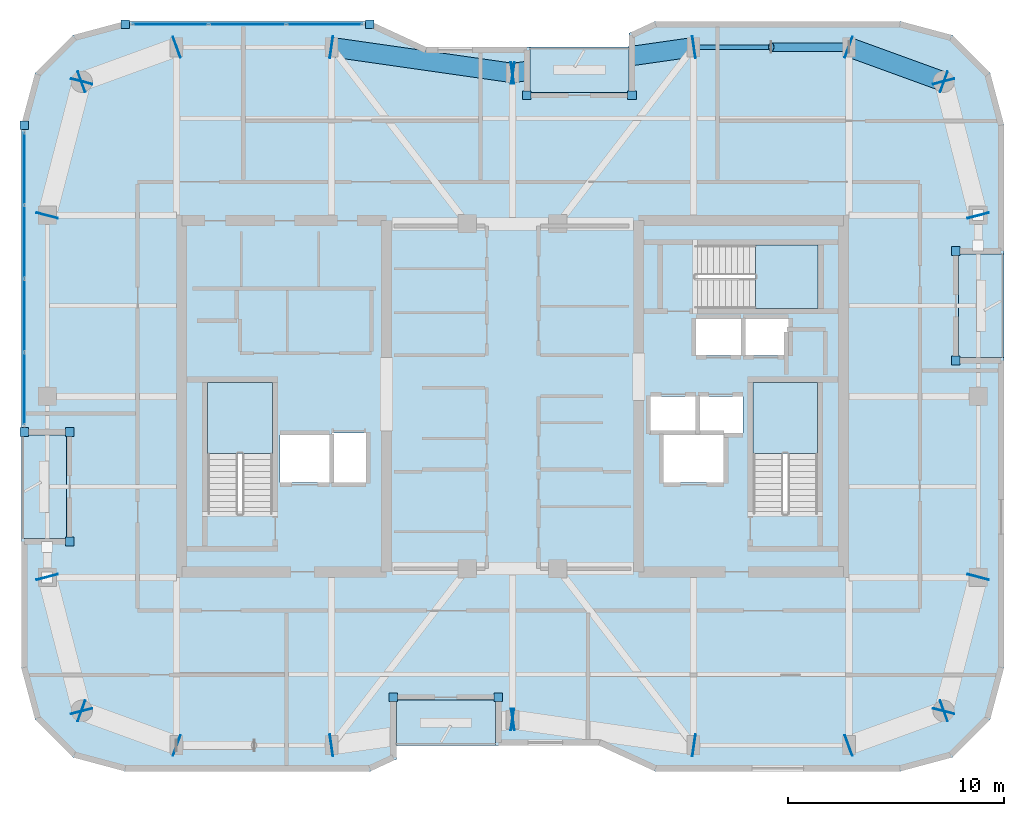
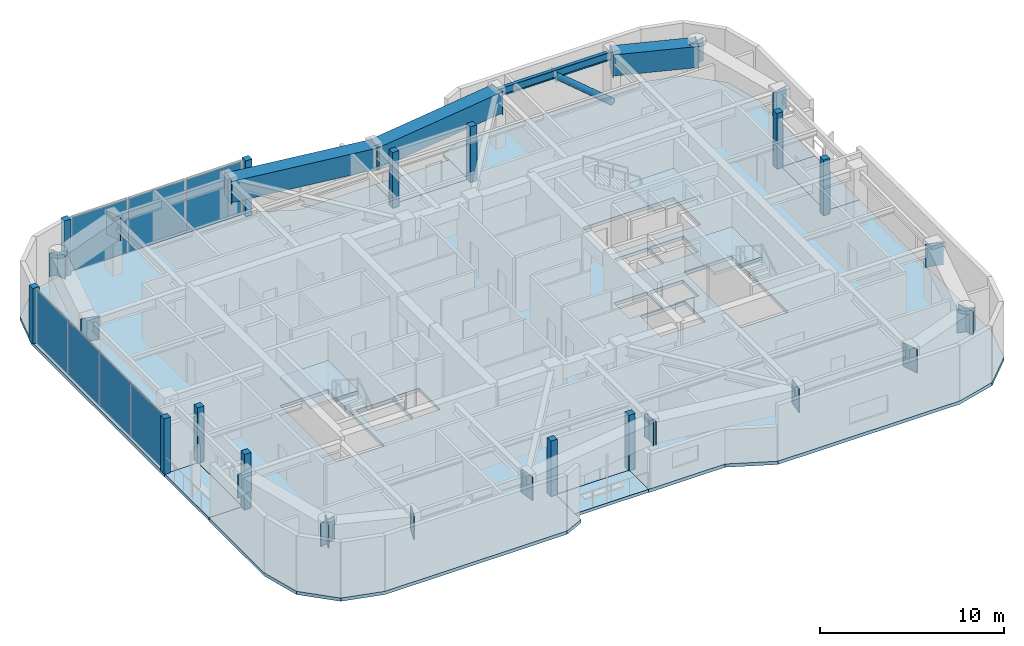
# One storey, part 7 of 16: 43 plates, 8 slabs, 4 beams, 1 member, 5 elements without a shape of their own.
"""IFC4 building model written with IfcOpenShell, lengths in metres."""

import ifcopenshell
import ifcopenshell.guid

model = None  # the IFC model being written
_history = None  # IfcOwnerHistory: only IFC2X3 demands one
_inside = {}  # id of a spatial element -> (the spatial element, [elements in it])
_under = {}  # id of a project, library or spatial element -> (it, [spatial elements below it])
_declared = {}  # id of a project -> (the project, [libraries it declares])
_typed = {}  # id of a type object -> (the type object, [elements of that type])
_made_of = {}  # id of a material, layer set ... -> (it, [elements and type objects made of it])


def new_model(schema):
    """Start an empty IFC model of exactly this schema.

    Asked for "IFC4X3", IfcOpenShell would pick the latest addendum, in which some entities
    have other attributes; the version numbers below select the first issue.
    IFC2X3 requires an IfcOwnerHistory on every rooted entity: one is made here for all.
    """
    global model, _history
    if schema == "IFC4X3":
        model = ifcopenshell.file(schema_version=(4, 3, 0, 0))
    else:
        model = ifcopenshell.file(schema=schema)
    _inside.clear()
    _under.clear()
    _declared.clear()
    _typed.clear()
    _made_of.clear()
    _history = None
    if model.schema == "IFC2X3":
        org = make("IfcOrganization", Name="unknown")
        user = make(
            "IfcPersonAndOrganization",
            ThePerson=make("IfcPerson", FamilyName="unknown"),
            TheOrganization=org,
        )
        app = make(
            "IfcApplication",
            ApplicationDeveloper=org,
            Version="unknown",
            ApplicationFullName="unknown",
            ApplicationIdentifier="unknown",
        )
        _history = make(
            "IfcOwnerHistory",
            OwningUser=user,
            OwningApplication=app,
            ChangeAction="ADDED",
            CreationDate=0,
        )
    return model


def make(cls, **values):
    """One entity of the class cls with the attributes given. An attribute that is None is left unset."""
    return model.create_entity(
        cls, **{name: value for name, value in values.items() if value is not None}
    )


def rooted(cls, **values):
    """An entity with a GlobalId (a new one), such as an element, a storey or a relation."""
    return make(cls, GlobalId=ifcopenshell.guid.new(), OwnerHistory=_history, **values)


def si_unit(unit_type, name, prefix=None):
    """IfcSIUnit, for example si_unit("LENGTHUNIT", "METRE", prefix="MILLI")."""
    return make("IfcSIUnit", UnitType=unit_type, Prefix=prefix, Name=name)


def assignment(units):
    """IfcUnitAssignment: the units of a project."""
    return None if units is None else make("IfcUnitAssignment", Units=units)


def point(xyz):
    """IfcCartesianPoint."""
    return None if xyz is None else make("IfcCartesianPoint", Coordinates=xyz)


def direction(xyz):
    """IfcDirection."""
    return None if xyz is None else make("IfcDirection", DirectionRatios=xyz)


def frame(location, z_axis=None, x_axis=None):
    """IfcAxis2Placement3D, a coordinate frame: its origin and axes. An axis left out is left unset."""
    return make(
        "IfcAxis2Placement3D",
        Location=point(location),
        Axis=direction(z_axis),
        RefDirection=direction(x_axis),
    )


def frame_2d(location, x_axis=None):
    """IfcAxis2Placement2D, a coordinate frame in the plane: its origin and x axis."""
    return make(
        "IfcAxis2Placement2D", Location=point(location), RefDirection=direction(x_axis)
    )


def origin():
    """The frame at (0, 0, 0) with its axes left unset."""
    return frame((0.0, 0.0, 0.0))


def origin_2d():
    """The frame at (0, 0) in the plane with its x axis left unset."""
    return frame_2d((0.0, 0.0))


def place(relative_to, where):
    """IfcLocalPlacement: puts the frame where relative to a parent placement (None: the world)."""
    return make(
        "IfcLocalPlacement", PlacementRelTo=relative_to, RelativePlacement=where
    )


def context(
    kind, dimensions, precision=None, world=None, true_north=None, identifier=None
):
    """IfcGeometricRepresentationContext, for example the 3D "Model" context."""
    return make(
        "IfcGeometricRepresentationContext",
        ContextIdentifier=identifier,
        ContextType=kind,
        CoordinateSpaceDimension=dimensions,
        Precision=precision,
        WorldCoordinateSystem=world,
        TrueNorth=true_north,
    )


def subcontext(parent, identifier, kind, view, scale=None):
    """IfcGeometricRepresentationSubContext, for example "Body" below "Model"."""
    return make(
        "IfcGeometricRepresentationSubContext",
        ContextIdentifier=identifier,
        ContextType=kind,
        ParentContext=parent,
        TargetScale=scale,
        TargetView=view,
    )


def project(units=None, contexts=None):
    """IfcProject with its units and contexts."""
    return rooted(
        "IfcProject",
        Name="project",
        RepresentationContexts=contexts,
        UnitsInContext=assignment(units),
    )


def spatial(cls, under=None, at=None, **own):
    """A site, building, storey or space (cls), placed at a placement, below another one or the project."""
    s = rooted(cls, ObjectPlacement=at, **own)
    if under is not None:
        _under.setdefault(under.id(), (under, []))[1].append(s)
    return s


def polyline(points):
    """IfcPolyline through the points."""
    return make("IfcPolyline", Points=[point(p) for p in points])


def profile(cls, at=None, kind="AREA", **sizes):
    """A parametric profile (cls). Its sizes go by their IFC names, for example OverallWidth=200.0."""
    return make(cls, ProfileType=kind, Position=at, **sizes)


def rectangle(**sizes):
    """IfcRectangleProfileDef."""
    return profile("IfcRectangleProfileDef", **sizes)


def hollow_rectangle(**sizes):
    """IfcRectangleHollowProfileDef."""
    return profile("IfcRectangleHollowProfileDef", **sizes)


def hollow_circle(**sizes):
    """IfcCircleHollowProfileDef."""
    return profile("IfcCircleHollowProfileDef", **sizes)


def i_section(**sizes):
    """IfcIShapeProfileDef."""
    return profile("IfcIShapeProfileDef", **sizes)


def outline(outer, holes=None, kind="AREA"):
    """IfcArbitraryClosedProfileDef: a profile drawn as a closed curve; with holes, ...WithVoids."""
    if holes is None:
        return make("IfcArbitraryClosedProfileDef", ProfileType=kind, OuterCurve=outer)
    return make(
        "IfcArbitraryProfileDefWithVoids",
        ProfileType=kind,
        OuterCurve=outer,
        InnerCurves=holes,
    )


def extrude(swept, where, along, depth):
    """IfcExtrudedAreaSolid: the profile swept, set in the frame where, extruded along a direction by depth."""
    return make(
        "IfcExtrudedAreaSolid",
        SweptArea=swept,
        Position=where,
        ExtrudedDirection=direction(along),
        Depth=depth,
    )


def shape(context_of_items, identifier, shape_type, items):
    """IfcShapeRepresentation: the items that make up one representation, for example the "Body"."""
    return make(
        "IfcShapeRepresentation",
        ContextOfItems=context_of_items,
        RepresentationIdentifier=identifier,
        RepresentationType=shape_type,
        Items=items,
    )


def material(Name=None, Category=None):
    """IfcMaterial."""
    return make("IfcMaterial", Name=Name, Category=Category)


def layer(
    of_material, thickness, ventilated=None, Name=None, Category=None, Priority=None
):
    """IfcMaterialLayer: one layer of a wall or slab, of a material (None: an air gap)."""
    return make(
        "IfcMaterialLayer",
        Material=of_material,
        LayerThickness=thickness,
        IsVentilated=ventilated,
        Name=Name,
        Category=Category,
        Priority=Priority,
    )


def layer_set(layers, Name=None):
    """IfcMaterialLayerSet."""
    return make("IfcMaterialLayerSet", MaterialLayers=layers, LayerSetName=Name)


def material_profile(
    of_material, cross_section, Name=None, Category=None, Priority=None
):
    """IfcMaterialProfile: a cross section and its material."""
    return make(
        "IfcMaterialProfile",
        Name=Name,
        Material=of_material,
        Profile=cross_section,
        Priority=Priority,
        Category=Category,
    )


def profile_set(profiles, Name=None, composite=None):
    """IfcMaterialProfileSet."""
    return make(
        "IfcMaterialProfileSet",
        Name=Name,
        MaterialProfiles=profiles,
        CompositeProfile=composite,
    )


def made_of(thing, what):
    """Note that an element or type object is made of a material, layer set ...; save() writes the relation."""
    if what is not None:
        _made_of.setdefault(what.id(), (what, []))[1].append(thing)
    return thing


def type_object(cls, material=None, **own):
    """A type object (cls), such as IfcWallType, which elements share."""
    return made_of(rooted(cls, **own), material)


def element(
    cls,
    number,
    at=None,
    inside=None,
    cuts=None,
    type_object=None,
    material=None,
    context=None,
    identifier="Body",
    shape_type=None,
    held_by="IfcProductDefinitionShape",
    body=None,
    shapes=None,
    **own,
):
    """One element of the class cls, such as IfcWall. Its Tag is "e" and its number.

    at: its placement. inside: the storey or other place that contains it. cuts: it is an
    opening in that element (IfcRelVoidsElement). A single representation is given by context,
    identifier, shape_type and body (its items); several are given by shapes. held_by: the class
    of the entity that holds the representations. save() writes the other relations.
    """
    e = rooted(cls, Tag="e%d" % number, ObjectPlacement=at, **own)
    if body is not None:
        shapes = [shape(context, identifier, shape_type, body)]
    if shapes is not None:
        e.Representation = make(held_by, Representations=shapes)
    if inside is not None:
        _inside.setdefault(inside.id(), (inside, []))[1].append(e)
    if cuts is not None:
        rooted(
            "IfcRelVoidsElement", RelatingBuildingElement=cuts, RelatedOpeningElement=e
        )
    if type_object is not None:
        _typed.setdefault(type_object.id(), (type_object, []))[1].append(e)
    return made_of(e, material)


def aggregate(whole, parts):
    """IfcRelAggregates: a whole, such as a stair, and the parts it consists of."""
    return rooted("IfcRelAggregates", RelatingObject=whole, RelatedObjects=parts)


def save(model, path):
    """Write the relations noted so far, then the file.

    IfcRelAggregates (storeys below a building ...), IfcRelContainedInSpatialStructure (elements
    in a storey), IfcRelDefinesByType, IfcRelAssociatesMaterial and IfcRelDeclares: one each for
    every whole, place, type object, material and project.
    """
    for whole, parts in _under.values():
        aggregate(whole, parts)
    for where, things in _inside.values():
        rooted(
            "IfcRelContainedInSpatialStructure",
            RelatedElements=things,
            RelatingStructure=where,
        )
    for kind, things in _typed.values():
        rooted("IfcRelDefinesByType", RelatedObjects=things, RelatingType=kind)
    for what, things in _made_of.values():
        rooted("IfcRelAssociatesMaterial", RelatedObjects=things, RelatingMaterial=what)
    for by, libraries in _declared.values():
        rooted("IfcRelDeclares", RelatingContext=by, RelatedDefinitions=libraries)
    model.write(path)


model = new_model("IFC4")

# Units and contexts
model_context = context("Model", 3, precision=1e-05, world=origin(), true_north=direction((0.0, 1.0)))
body_context = subcontext(model_context, "Body", "Model", "MODEL_VIEW")
ifc_project = project(units=[si_unit("LENGTHUNIT", "METRE"), si_unit("AREAUNIT", "SQUARE_METRE"), si_unit("VOLUMEUNIT", "CUBIC_METRE"), si_unit("PLANEANGLEUNIT", "RADIAN"), si_unit("MASSUNIT", "GRAM", prefix="KILO")], contexts=[model_context])

# Site, building, storey
site_placement = place(None, origin())
site = spatial("IfcSite", under=ifc_project, at=site_placement, CompositionType="ELEMENT")
building_placement = place(site_placement, origin())
building = spatial("IfcBuilding", under=site, at=building_placement, Name="Kiyonajd Concourse Tower", CompositionType="ELEMENT")
storey_placement = place(building_placement, frame((0.0, 0.0, 333.60009765625)))
storey = spatial("IfcBuildingStorey", under=building, at=storey_placement, Name="L84", CompositionType="ELEMENT", Elevation=333.60009765625)

# Beams
ifc_material_1 = material(Name="Steel ASTM A992 Grade 50", Category="steel")
ifc_material_profile_1 = material_profile(ifc_material_1, i_section(OverallWidth=0.2109375, OverallDepth=0.5390625, WebThickness=0.01171875, FlangeThickness=0.018798828125, at=origin_2d()), Name="W530X109")
ifc_profile_set_1 = profile_set([ifc_material_profile_1], Name="Steel ASTM A992 Grade 50")
beam_type_1 = type_object("IfcBeamType", Name="BM-SPAN-530B", PredefinedType="SPANDREL", material=ifc_profile_set_1)
beam_1_placement = place(storey_placement, frame((63.60009765625, 52.199951171875, 3.410400390625), z_axis=(-1.0, 0.0, 0.0), x_axis=(0.0, -1.0, 0.0)))
element("IfcBeam", 1, at=beam_1_placement, inside=storey, type_object=beam_type_1, Name="L84 Perimeter Bundled Tube Spandrel", PredefinedType="SPANDREL", context=body_context, shape_type="SweptSolid", body=[
    extrude(i_section(OverallWidth=0.2109375, OverallDepth=0.5390625, WebThickness=0.01171875, FlangeThickness=0.018798828125, at=origin_2d()), origin(), (0.0, 0.0, 1.0), 7.2001953125),
])
ifc_material_2 = material(Name="Steel ASTM A572 Grade 50", Category="steel")
ifc_material_profile_2 = material_profile(ifc_material_2, hollow_rectangle(XDim=0.89990234375, YDim=1.39990234375, WallThickness=0.070068359375, at=origin_2d()), Name="BOX-1400x900x70")
ifc_profile_set_2 = profile_set([ifc_material_profile_2], Name="Steel ASTM A572 Grade 50")
beam_type_2 = type_object("IfcBeamType", Name="BM-XFER-1400", PredefinedType="BEAM", material=ifc_profile_set_2)
beam_2_placement = place(storey_placement, frame((68.0, 50.60009765625, 2.97998046875), z_axis=(-0.939801036019, 0.341722127901, 0.0), x_axis=(-0.341722127901, -0.939801036019, 0.0)))
element("IfcBeam", 2, at=beam_2_placement, inside=storey, type_object=beam_type_2, Name="L84 Perimeter Bundled Tube Spandrel", PredefinedType="BEAM", context=body_context, shape_type="SweptSolid", body=[
    extrude(hollow_rectangle(XDim=0.89990234375, YDim=1.39990234375, WallThickness=0.070068359375, at=origin_2d()), origin(), (0.0, 0.0, 1.0), 4.681640625),
])
for number, where, z_axis, x_axis, name in (
    (3, (56.39990234375, 52.199951171875, 2.97998046875), (-0.989950069105, -0.141417328072, 0.0), (0.141417328072, -0.989950069105, 0.0), "L84 Perimeter Bundled Tube Spandrel"),
    (4, (48.0, 51.0, 2.97998046875), (-0.989950069105, 0.141417328072, 0.0), (-0.141417328072, -0.989950069105, 0.0), "L84 Perimeter Bundled Tube Spandrel"),
):
    element("IfcBeam", number, at=place(storey_placement, frame(where, z_axis=z_axis, x_axis=x_axis)), inside=storey, type_object=beam_type_2, Name=name, PredefinedType="BEAM", context=body_context, shape_type="SweptSolid", body=[
        extrude(hollow_rectangle(XDim=0.89990234375, YDim=1.39990234375, WallThickness=0.070068359375, at=origin_2d()), origin(), (0.0, 0.0, 1.0), 8.485107421875),
    ])

# Member
ifc_material_3 = material(Name="Steel ASTM A500 Grade C", Category="steel")
ifc_material_profile_3 = material_profile(ifc_material_3, hollow_circle(Radius=0.202880859375, WallThickness=0.01904296875, at=origin_2d()), Name="CHS-406x19")
ifc_profile_set_3 = profile_set([ifc_material_profile_3], Name="Steel ASTM A500 Grade C")
member_type = type_object("IfcMemberType", Name="MB-PB-HIGH", PredefinedType="BRACE", material=ifc_profile_set_3)
member_placement = place(storey_placement, frame((63.60009765625, 52.199951171875, 0.2998046875), z_axis=(-0.765082043761, 0.0, 0.643932811957), x_axis=(0.0, -1.0, 0.0)))
element("IfcMember", 5, at=member_placement, inside=storey, type_object=member_type, Name="L84 Upper Zone Hollow Tube Brace PBN", PredefinedType="BRACE", context=body_context, shape_type="SweptSolid", body=[
    extrude(hollow_circle(Radius=0.202880859375, WallThickness=0.01904296875, at=origin_2d()), origin(), (0.0, 0.0, 1.0), 4.70556640625),
])

# Plates
ifc_layer_1 = layer(ifc_material_2, 0.031982421875)
ifc_layer_set_1 = layer_set([ifc_layer_1], Name="Steel ASTM A572 Grade 50")
plate_type_1 = type_object("IfcPlateType", Name="PL-CAP-540", PredefinedType="USERDEFINED", material=ifc_layer_set_1)
for number, where, z_axis, x_axis, name in (
    (6, (26.397216796875, 27.610595703125, 2.2099609375), (0.0, 0.0, 1.0), (-0.249873048837, 0.968278606324, 0.0), "L84 Welded Box Girder End Cap"),
    (7, (28.002685546875, 21.389404296875, 2.2099609375), (0.0, 0.0, 1.0), (0.249873048837, -0.968278606324, 0.0), "L84 Welded Box Girder End Cap"),
    (8, (27.98974609375, 21.40380859375, 2.2099609375), (0.0, 0.0, 1.0), (-0.939811951086, 0.341692107891, 0.0), "L84 Welded Box Girder End Cap"),
    (9, (32.410400390625, 19.796142578125, 2.2099609375), (0.0, 0.0, 1.0), (0.939811951086, -0.341692107891, 0.0), "L84 Welded Box Girder End Cap"),
    (10, (39.589111328125, 19.79833984375, 2.2099609375), (0.0, 0.0, 1.0), (-0.989949746297, -0.141419587774, 0.0), "L84 Welded Box Girder End Cap"),
    (11, (48.010986328125, 21.001708984375, 2.2099609375), (0.0, 0.0, 1.0), (0.989949746297, 0.141419587774, 0.0), "L84 Welded Box Girder End Cap"),
    (12, (47.989013671875, 21.001708984375, 2.2099609375), (0.0, 0.0, 1.0), (-0.989949746297, 0.141419587774, 0.0), "L84 Welded Box Girder End Cap"),
    (13, (56.410888671875, 19.79833984375, 2.2099609375), (0.0, 0.0, 1.0), (0.989949746297, -0.141419587774, 0.0), "L84 Welded Box Girder End Cap"),
    (14, (63.589599609375, 19.796142578125, 2.2099609375), (0.0, 0.0, 1.0), (-0.939811951086, -0.341692107891, 0.0), "L84 Welded Box Girder End Cap"),
    (15, (68.01025390625, 21.40380859375, 2.2099609375), (0.0, 0.0, 1.0), (0.939811951086, 0.341692107891, 0.0), "L84 Welded Box Girder End Cap"),
    (16, (67.997314453125, 21.389404296875, 2.2099609375), (0.0, 0.0, 1.0), (-0.249873048837, -0.968278606324, 0.0), "L84 Welded Box Girder End Cap"),
    (17, (69.602783203125, 27.610595703125, 2.2099609375), (0.0, 0.0, 1.0), (0.249873048837, 0.968278606324, 0.0), "L84 Welded Box Girder End Cap"),
    (18, (69.602783203125, 44.389404296875, 2.2099609375), (0.0, 0.0, 1.0), (0.249873048837, -0.968278606324, 0.0), "L84 Welded Box Girder End Cap"),
    (19, (67.997314453125, 50.610595703125, 2.2099609375), (0.0, 0.0, 1.0), (-0.249873048837, 0.968278606324, 0.0), "L84 Welded Box Girder End Cap"),
    (20, (68.01025390625, 50.59619140625, 2.2099609375), (0.0, 0.0, 1.0), (0.939811951086, -0.341692107891, 0.0), "L84 Welded Box Girder End Cap"),
    (21, (63.589599609375, 52.203857421875, 2.2099609375), (0.0, 0.0, 1.0), (-0.939811951086, 0.341692107891, 0.0), "L84 Welded Box Girder End Cap"),
    (22, (56.410888671875, 52.20166015625, 2.2099609375), (0.0, 0.0, 1.0), (0.989949746297, 0.141419587774, 0.0), "L84 Welded Box Girder End Cap"),
    (23, (47.989013671875, 50.998291015625, 2.2099609375), (0.0, 0.0, 1.0), (-0.989949746297, -0.141419587774, 0.0), "L84 Welded Box Girder End Cap"),
    (24, (48.010986328125, 50.998291015625, 2.2099609375), (0.0, 0.0, 1.0), (0.989949746297, -0.141419587774, 0.0), "L84 Welded Box Girder End Cap"),
    (25, (39.589111328125, 52.20166015625, 2.2099609375), (0.0, 0.0, 1.0), (-0.989949746297, 0.141419587774, 0.0), "L84 Welded Box Girder End Cap"),
    (26, (32.410400390625, 52.203857421875, 2.2099609375), (0.0, 0.0, 1.0), (0.939811951086, 0.341692107891, 0.0), "L84 Welded Box Girder End Cap"),
    (27, (27.98974609375, 50.59619140625, 2.2099609375), (0.0, 0.0, 1.0), (-0.939811951086, -0.341692107891, 0.0), "L84 Welded Box Girder End Cap"),
    (28, (28.002685546875, 50.610595703125, 2.2099609375), (0.0, 0.0, 1.0), (0.249873048837, 0.968278606324, 0.0), "L84 Welded Box Girder End Cap"),
    (29, (26.397216796875, 44.389404296875, 2.2099609375), (0.0, 0.0, 1.0), (-0.249873048837, -0.968278606324, 0.0), "L84 Welded Box Girder End Cap"),
):
    element("IfcPlate", number, at=place(storey_placement, frame(where, z_axis=z_axis, x_axis=x_axis)), inside=storey, type_object=plate_type_1, Name=name, ObjectType="CAP PLATE", PredefinedType="USERDEFINED", context=body_context, shape_type="SweptSolid", body=[
        extrude(rectangle(XDim=0.035888671875, YDim=1.02001953125, at=origin_2d()), origin(), (0.0, 0.0, 1.0), 1.5400390625),
    ])

# Curtain wall, plates
ifc_material_4 = material(Name="Thermally Broken Anodised Aluminium", Category="aluminium")
ifc_layer_2 = layer(ifc_material_4, 0.179931640625)
ifc_layer_set_2 = layer_set([ifc_layer_2], Name="Thermally Broken Anodised Aluminium")
curtain_wall_type = type_object("IfcCurtainWallType", Name="CW-SYS-04", PredefinedType="NOTDEFINED", material=ifc_layer_set_2)
curtain_wall_1_placement = place(storey_placement, origin())
curtain_wall_1 = element("IfcCurtainWall", 30, at=curtain_wall_1_placement, inside=storey, type_object=curtain_wall_type, Name="L84 Unitised Curtain Wall CW4", PredefinedType="NOTDEFINED")
ifc_material_5 = material(Name="Double Low-E Insulated Glass", Category="glass")
ifc_layer_3 = layer(ifc_material_5, 0.033935546875)
ifc_layer_set_3 = layer_set([ifc_layer_3], Name="Double Low-E Insulated Glass")
plate_type_2 = type_object("IfcPlateType", Name="PL-CW-VIS34", PredefinedType="CURTAIN_PANEL", material=ifc_layer_set_3)
plate_1_placement = place(storey_placement, frame((25.340087890625, 36.35400390625, 0.06494140625), z_axis=(0.0, 0.0, 1.0), x_axis=(0.0, 1.0, 0.0)))
plate_1 = element("IfcPlate", 31, at=plate_1_placement, type_object=plate_type_2, Name="CW4 panel 1.1", PredefinedType="CURTAIN_PANEL", context=body_context, shape_type="SweptSolid", body=[
    extrude(rectangle(XDim=3.31787109375, YDim=0.033935546875, at=origin_2d()), origin(), (0.0, 0.0, 1.0), 3.550048828125),
])
plate_2_placement = place(storey_placement, frame((25.340087890625, 39.753173828125, 0.06494140625), z_axis=(0.0, 0.0, 1.0), x_axis=(0.0, 1.0, 0.0)))
plate_2 = element("IfcPlate", 32, at=plate_2_placement, type_object=plate_type_2, Name="CW4 panel 2.1", PredefinedType="CURTAIN_PANEL", context=body_context, shape_type="SweptSolid", body=[
    extrude(rectangle(XDim=3.350341796875, YDim=0.033935546875, at=origin_2d()), origin(), (0.0, 0.0, 1.0), 3.550048828125),
])
plate_3_placement = place(storey_placement, frame((25.340087890625, 43.16845703125, 0.06494140625), z_axis=(0.0, 0.0, 1.0), x_axis=(0.0, 1.0, 0.0)))
plate_3 = element("IfcPlate", 33, at=plate_3_placement, type_object=plate_type_2, Name="CW4 panel 3.1", PredefinedType="CURTAIN_PANEL", context=body_context, shape_type="SweptSolid", body=[
    extrude(rectangle(XDim=3.350341796875, YDim=0.033935546875, at=origin_2d()), origin(), (0.0, 0.0, 1.0), 3.550048828125),
])
plate_4_placement = place(storey_placement, frame((25.340087890625, 46.567626953125, 0.06494140625), z_axis=(0.0, 0.0, 1.0), x_axis=(0.0, 1.0, 0.0)))
plate_4 = element("IfcPlate", 34, at=plate_4_placement, type_object=plate_type_2, Name="CW4 panel 4.1", PredefinedType="CURTAIN_PANEL", context=body_context, shape_type="SweptSolid", body=[
    extrude(rectangle(XDim=3.31787109375, YDim=0.033935546875, at=origin_2d()), origin(), (0.0, 0.0, 1.0), 3.550048828125),
])
aggregate(curtain_wall_1, [plate_1, plate_2, plate_3, plate_4])

curtain_wall_2_placement = place(storey_placement, origin())
curtain_wall_2 = element("IfcCurtainWall", 35, at=curtain_wall_2_placement, inside=storey, type_object=curtain_wall_type, Name="L84 Unitised Curtain Wall CW4", PredefinedType="NOTDEFINED")
plate_5_placement = place(storey_placement, frame((32.119873046875, 53.260009765625, 0.06494140625), z_axis=(0.0, 0.0, 1.0), x_axis=(1.0, 0.0, 0.0)))
plate_5 = element("IfcPlate", 36, at=plate_5_placement, type_object=plate_type_2, Name="CW4 panel 1.1", PredefinedType="CURTAIN_PANEL", context=body_context, shape_type="SweptSolid", body=[
    extrude(rectangle(XDim=3.492919921875, YDim=0.033935546875, at=origin_2d()), origin(), (0.0, 0.0, 1.0), 3.550048828125),
])
plate_6_placement = place(storey_placement, frame((35.69384765625, 53.260009765625, 0.06494140625), z_axis=(0.0, 0.0, 1.0), x_axis=(1.0, 0.0, 0.0)))
plate_6 = element("IfcPlate", 37, at=plate_6_placement, type_object=plate_type_2, Name="CW4 panel 2.1", PredefinedType="CURTAIN_PANEL", context=body_context, shape_type="SweptSolid", body=[
    extrude(rectangle(XDim=3.525390625, YDim=0.033935546875, at=origin_2d()), origin(), (0.0, 0.0, 1.0), 3.550048828125),
])
plate_7_placement = place(storey_placement, frame((39.267822265625, 53.260009765625, 0.06494140625), z_axis=(0.0, 0.0, 1.0), x_axis=(1.0, 0.0, 0.0)))
plate_7 = element("IfcPlate", 38, at=plate_7_placement, type_object=plate_type_2, Name="CW4 panel 3.1", PredefinedType="CURTAIN_PANEL", context=body_context, shape_type="SweptSolid", body=[
    extrude(rectangle(XDim=3.492919921875, YDim=0.033935546875, at=origin_2d()), origin(), (0.0, 0.0, 1.0), 3.550048828125),
])
aggregate(curtain_wall_2, [plate_5, plate_6, plate_7])

# Plates
ifc_layer_4 = layer(ifc_material_4, 0.39990234375)
ifc_layer_set_4 = layer_set([ifc_layer_4], Name="Thermally Broken Anodised Aluminium")
plate_type_3 = type_object("IfcPlateType", Name="PL-JMB-400", PredefinedType="USERDEFINED", material=ifc_layer_set_4)
for number, where, z_axis, x_axis, name in (
    (39, (27.43994140625, 29.260009765625, 0.0), (0.0, 0.0, 1.0), (1.0, 0.0, 0.0), "L84 Facade Jamb Closure Plate 01"),
    (40, (27.43994140625, 34.340087890625, 0.0), (0.0, 0.0, 1.0), (1.0, 0.0, 0.0), "L84 Facade Jamb Closure Plate 02"),
    (41, (25.340087890625, 34.340087890625, 0.0), (0.0, 0.0, 1.0), (1.0, 0.0, 0.0), "L84 Facade Jamb Closure Plate 03"),
    (42, (25.340087890625, 48.58154296875, 0.0), (0.0, 0.0, 1.0), (1.0, 0.0, 0.0), "L84 Facade Jamb Closure Plate 04"),
    (43, (30.018310546875, 53.260009765625, 0.0), (0.0, 0.0, 1.0), (1.0, 0.0, 0.0), "L84 Facade Jamb Closure Plate 05"),
    (44, (41.369384765625, 53.260009765625, 0.0), (0.0, 0.0, 1.0), (1.0, 0.0, 0.0), "L84 Facade Jamb Closure Plate 06"),
    (45, (48.659912109375, 49.9599609375, 0.0), (0.0, 0.0, 1.0), (1.0, 0.0, 0.0), "L84 Facade Jamb Closure Plate 07"),
    (46, (53.5400390625, 49.9599609375, 0.0), (0.0, 0.0, 1.0), (1.0, 0.0, 0.0), "L84 Facade Jamb Closure Plate 08"),
    (47, (68.56005859375, 42.739990234375, 0.0), (0.0, 0.0, 1.0), (1.0, 0.0, 0.0), "L84 Facade Jamb Closure Plate 09"),
    (48, (68.56005859375, 37.659912109375, 0.0), (0.0, 0.0, 1.0), (1.0, 0.0, 0.0), "L84 Facade Jamb Closure Plate 10"),
    (49, (47.340087890625, 22.0400390625, 0.0), (0.0, 0.0, 1.0), (1.0, 0.0, 0.0), "L84 Facade Jamb Closure Plate 11"),
    (50, (42.4599609375, 22.0400390625, 0.0), (0.0, 0.0, 1.0), (1.0, 0.0, 0.0), "L84 Facade Jamb Closure Plate 12"),
):
    element("IfcPlate", number, at=place(storey_placement, frame(where, z_axis=z_axis, x_axis=x_axis)), inside=storey, type_object=plate_type_3, Name=name, ObjectType="JAMB PLATE", PredefinedType="USERDEFINED", context=body_context, shape_type="SweptSolid", body=[
        extrude(rectangle(XDim=0.39990234375, YDim=0.39990234375, at=origin_2d()), origin(), (0.0, 0.0, 1.0), 3.679931640625),
    ])

# Stair, slab
ifc_material_6 = material(Name="Concrete C40/50", Category="concrete")
stair_type = type_object("IfcStairType", Name="ST-DLG-22R", PredefinedType="HALF_TURN_STAIR", material=ifc_material_6)
stair_1_placement = place(storey_placement, origin())
stair_1 = element("IfcStair", 51, at=stair_1_placement, inside=storey, type_object=stair_type, Name="L84 Protected Exit Stair ST1", PredefinedType="HALF_TURN_STAIR")
ifc_layer_5 = layer(ifc_material_6, 0.199951171875)
ifc_layer_set_5 = layer_set([ifc_layer_5], Name="Concrete C40/50")
slab_type_1 = type_object("IfcSlabType", Name="SL-LND-200", PredefinedType="LANDING", material=ifc_layer_set_5)
slab_1_placement = place(storey_placement, frame((0.0, 0.0, 1.75)))
slab_1 = element("IfcSlab", 52, at=slab_1_placement, type_object=slab_type_1, Name="ST1 landing 1", PredefinedType="LANDING", context=body_context, shape_type="SweptSolid", body=[
    extrude(outline(polyline([(36.85009765625, 33.35009765625), (36.85009765625, 36.64990234375), (33.85009765625, 36.64990234375), (33.85009765625, 33.35009765625), (36.85009765625, 33.35009765625)])), origin(), (0.0, 0.0, 1.0), 0.199951171875),
])
aggregate(stair_1, [slab_1])

stair_2_placement = place(storey_placement, origin())
stair_2 = element("IfcStair", 53, at=stair_2_placement, inside=storey, type_object=stair_type, Name="L84 Protected Exit Stair ST2", PredefinedType="HALF_TURN_STAIR")
slab_2_placement = place(storey_placement, frame((0.0, 0.0, 1.75)))
slab_2 = element("IfcSlab", 54, at=slab_2_placement, type_object=slab_type_1, Name="ST2 landing 1", PredefinedType="LANDING", context=body_context, shape_type="SweptSolid", body=[
    extrude(outline(polyline([(62.14990234375, 33.35009765625), (62.14990234375, 36.64990234375), (59.14990234375, 36.64990234375), (59.14990234375, 33.35009765625), (62.14990234375, 33.35009765625)])), origin(), (0.0, 0.0, 1.0), 0.199951171875),
])
aggregate(stair_2, [slab_2])

stair_3_placement = place(storey_placement, origin())
stair_3 = element("IfcStair", 55, at=stair_3_placement, inside=storey, type_object=stair_type, Name="L84 Protected Exit Stair ST3", PredefinedType="HALF_TURN_STAIR")
slab_3_placement = place(storey_placement, frame((0.0, 0.0, 1.75)))
slab_3 = element("IfcSlab", 56, at=slab_3_placement, type_object=slab_type_1, Name="ST3 landing 1", PredefinedType="LANDING", context=body_context, shape_type="SweptSolid", body=[
    extrude(outline(polyline([(59.280029296875, 40.080078125), (62.179931640625, 40.080078125), (62.179931640625, 43.02001953125), (59.280029296875, 43.02001953125), (59.280029296875, 40.080078125)])), origin(), (0.0, 0.0, 1.0), 0.199951171875),
])
aggregate(stair_3, [slab_3])

# Slabs
ifc_material_7 = material(Name="Precast concrete C50/60", Category="concrete")
ifc_layer_6 = layer(ifc_material_7, 0.199951171875)
ifc_layer_set_6 = layer_set([ifc_layer_6], Name="Precast concrete C50/60")
slab_type_2 = type_object("IfcSlabType", Name="SL-LOG-200", PredefinedType="FLOOR", material=ifc_layer_set_6)
slab_4_placement = place(storey_placement, frame((0.0, 0.0, -0.2001953125)))
element("IfcSlab", 57, at=slab_4_placement, inside=storey, type_object=slab_type_2, Name="L84 Recessed Engawa Loggia Terrace Slab LOG-S", PredefinedType="FLOOR", context=body_context, shape_type="SweptSolid", body=[
    extrude(outline(polyline([(42.60009765625, 19.800048828125), (47.199951171875, 19.800048828125), (47.199951171875, 21.89990234375), (42.60009765625, 21.89990234375), (42.60009765625, 19.800048828125)])), origin(), (0.0, 0.0, 1.0), 0.2001953125),
])
slab_5_placement = place(storey_placement, frame((0.0, 0.0, -0.2001953125)))
element("IfcSlab", 58, at=slab_5_placement, inside=storey, type_object=slab_type_2, Name="L84 Recessed Engawa Loggia Terrace Slab LOG-N", PredefinedType="FLOOR", context=body_context, shape_type="SweptSolid", body=[
    extrude(outline(polyline([(48.800048828125, 50.10009765625), (53.39990234375, 50.10009765625), (53.39990234375, 52.199951171875), (48.800048828125, 52.199951171875), (48.800048828125, 50.10009765625)])), origin(), (0.0, 0.0, 1.0), 0.2001953125),
])
slab_6_placement = place(storey_placement, frame((0.0, 0.0, -0.2001953125)))
element("IfcSlab", 59, at=slab_6_placement, inside=storey, type_object=slab_type_2, Name="L84 Recessed Engawa Loggia Terrace Slab LOG-W", PredefinedType="FLOOR", context=body_context, shape_type="SweptSolid", body=[
    extrude(outline(polyline([(25.199951171875, 29.39990234375), (27.300048828125, 29.39990234375), (27.300048828125, 34.199951171875), (25.199951171875, 34.199951171875), (25.199951171875, 29.39990234375)])), origin(), (0.0, 0.0, 1.0), 0.2001953125),
])
slab_7_placement = place(storey_placement, frame((0.0, 0.0, -0.2001953125)))
element("IfcSlab", 60, at=slab_7_placement, inside=storey, type_object=slab_type_2, Name="L84 Recessed Engawa Loggia Terrace Slab LOG-E", PredefinedType="FLOOR", context=body_context, shape_type="SweptSolid", body=[
    extrude(outline(polyline([(68.699951171875, 37.800048828125), (70.800048828125, 37.800048828125), (70.800048828125, 42.60009765625), (68.699951171875, 42.60009765625), (68.699951171875, 37.800048828125)])), origin(), (0.0, 0.0, 1.0), 0.2001953125),
])
ifc_layer_7 = layer(ifc_material_6, 0.219970703125)
ifc_layer_set_7 = layer_set([ifc_layer_7], Name="Concrete C40/50")
slab_type_3 = type_object("IfcSlabType", Name="SL-TWR-220", PredefinedType="FLOOR", material=ifc_layer_set_7)
slab_8_placement = place(storey_placement, frame((0.0, 0.0, -0.22021484375)))
element("IfcSlab", 61, at=slab_8_placement, inside=storey, type_object=slab_type_3, Name="L84 Tower Conditioned Floor Slab", PredefinedType="FLOOR", context=body_context, shape_type="SweptSolid", body=[
    extrude(outline(polyline([(25.843017578125, 21.0), (25.199951171875, 23.39990234375), (25.199951171875, 29.39990234375), (27.300048828125, 29.39990234375), (27.300048828125, 34.199951171875), (25.199951171875, 34.199951171875), (25.199951171875, 48.60009765625), (25.843017578125, 51.0), (27.60009765625, 52.757080078125), (30.0, 53.39990234375), (41.39990234375, 53.39990234375), (44.0, 52.199951171875), (48.800048828125, 52.199951171875), (48.800048828125, 50.10009765625), (53.39990234375, 50.10009765625), (53.39990234375, 52.845947265625), (54.60009765625, 53.39990234375), (66.0, 53.39990234375), (68.39990234375, 52.757080078125), (70.156982421875, 51.0), (70.800048828125, 48.60009765625), (70.800048828125, 42.60009765625), (68.699951171875, 42.60009765625), (68.699951171875, 37.800048828125), (70.800048828125, 37.800048828125), (70.800048828125, 23.39990234375), (70.156982421875, 21.0), (68.39990234375, 19.242919921875), (66.0, 18.60009765625), (54.60009765625, 18.60009765625), (52.0, 19.800048828125), (47.199951171875, 19.800048828125), (47.199951171875, 21.89990234375), (42.60009765625, 21.89990234375), (42.60009765625, 19.154052734375), (41.39990234375, 18.60009765625), (30.0, 18.60009765625), (27.60009765625, 19.242919921875), (25.843017578125, 21.0)]), holes=[polyline([(39.5, 32.0), (37.199951171875, 32.0), (37.199951171875, 34.199951171875), (39.5, 34.199951171875), (39.5, 32.0)]), polyline([(57.800048828125, 32.0), (55.0, 32.0), (55.0, 34.199951171875), (57.800048828125, 34.199951171875), (57.800048828125, 32.0)]), polyline([(41.199951171875, 32.0), (39.60009765625, 32.0), (39.60009765625, 34.300048828125), (41.199951171875, 34.300048828125), (41.199951171875, 32.0)]), polyline([(33.85009765625, 30.550048828125), (33.85009765625, 36.64990234375), (36.85009765625, 36.64990234375), (36.85009765625, 30.550048828125), (33.85009765625, 30.550048828125)]), polyline([(59.14990234375, 30.550048828125), (59.14990234375, 36.64990234375), (62.14990234375, 36.64990234375), (62.14990234375, 30.550048828125), (59.14990234375, 30.550048828125)]), polyline([(56.5, 34.300048828125), (54.39990234375, 34.300048828125), (54.39990234375, 36.0), (56.5, 36.0), (56.5, 34.300048828125)]), polyline([(58.699951171875, 34.300048828125), (56.60009765625, 34.300048828125), (56.60009765625, 36.0), (58.699951171875, 36.0), (58.699951171875, 34.300048828125)]), polyline([(58.60009765625, 37.89990234375), (56.5, 37.89990234375), (56.5, 39.60009765625), (58.60009765625, 39.60009765625), (58.60009765625, 37.89990234375)]), polyline([(58.699951171875, 37.89990234375), (58.699951171875, 39.60009765625), (60.800048828125, 39.60009765625), (60.800048828125, 37.89990234375), (58.699951171875, 37.89990234375)]), polyline([(56.47998046875, 43.02001953125), (62.179931640625, 43.02001953125), (62.179931640625, 40.080078125), (56.47998046875, 40.080078125), (56.47998046875, 43.02001953125)])]), origin(), (0.0, 0.0, 1.0), 0.22021484375),
])

save(model, "model.ifc")
